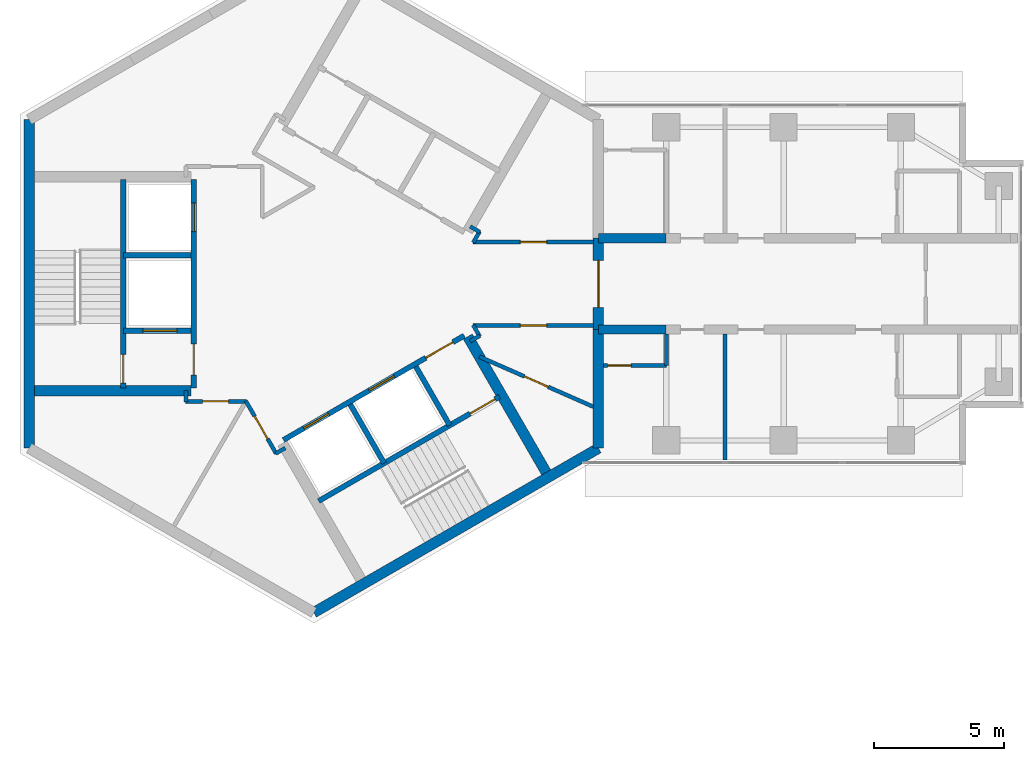
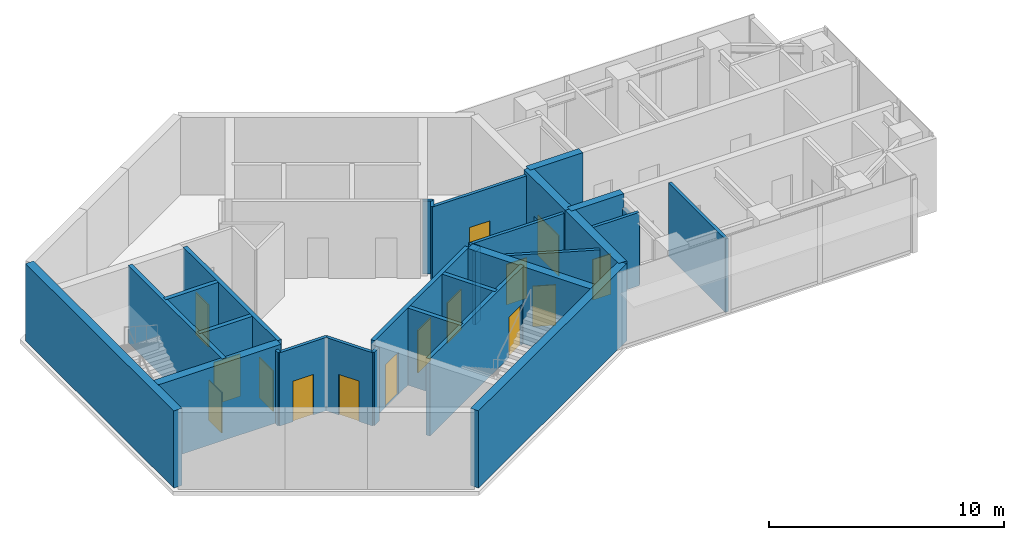
# One storey, part 5 of 11: 30 walls, 15 doors, 15 openings.
"""IFC4 building model written with IfcOpenShell, lengths in metres."""

from ifc_helpers import new_model, si_unit, direction, frame, frame_2d, origin, place, context, subcontext, project, spatial, rectangle, extrude, material, layer, layer_set, type_object, element, fill, save


model = new_model("IFC4")

# Units and contexts
model_context = context("Model", 3, precision=1e-05, world=origin(), true_north=direction((0.0, 1.0)))
body_context = subcontext(model_context, "Body", "Model", "MODEL_VIEW")
ifc_project = project(units=[si_unit("LENGTHUNIT", "METRE"), si_unit("AREAUNIT", "SQUARE_METRE"), si_unit("VOLUMEUNIT", "CUBIC_METRE"), si_unit("PLANEANGLEUNIT", "RADIAN"), si_unit("MASSUNIT", "GRAM", prefix="KILO")], contexts=[model_context])

# Site, building, storey
site_placement = place(None, origin())
site = spatial("IfcSite", under=ifc_project, at=site_placement, CompositionType="ELEMENT")
building_placement = place(site_placement, origin())
building = spatial("IfcBuilding", under=site, at=building_placement, Name="Upepo Twin Towers", CompositionType="ELEMENT")
storey_placement = place(building_placement, frame((0.0, 0.0, 251.5)))
storey = spatial("IfcBuildingStorey", under=building, at=storey_placement, Name="L61", CompositionType="ELEMENT", Elevation=251.5)

# Walls
ifc_material_1 = material(Name="Concrete C60/75", Category="concrete")
ifc_layer_1 = layer(ifc_material_1, 0.35009765625)
ifc_layer_set_1 = layer_set([ifc_layer_1], Name="Concrete C60/75")
wall_type_1 = type_object("IfcWallType", Name="Buttress wall 350 RC", PredefinedType="SHEAR", material=ifc_layer_set_1)
for number, where, z_axis, x_axis, name in (
    (1, (10.908447265625, 1.75, 0.0), (0.0, 0.0, 1.0), (1.0, 0.0, 0.0), "T1 wing A buttress wall L"),
    (2, (10.908447265625, -1.75, 0.0), (0.0, 0.0, 1.0), (1.0, 0.0, 0.0), "T1 wing A buttress wall R"),
):
    element("IfcWall", number, at=place(storey_placement, frame(where, z_axis=z_axis, x_axis=x_axis)), inside=storey, type_object=wall_type_1, Name=name, PredefinedType="SHEAR", context=body_context, shape_type="SweptSolid", body=[
        extrude(rectangle(XDim=2.591552734375, YDim=0.35009765625, at=frame_2d((1.2958984375, 0.0))), origin(), (0.0, 0.0, 1.0), 4.0),
    ])
ifc_material_2 = material(Name="Concrete C60/75", Category="concrete")
ifc_layer_2 = layer(ifc_material_2, 0.39990234375)
ifc_layer_set_2 = layer_set([ifc_layer_2], Name="Concrete C60/75")
wall_type_2 = type_object("IfcWallType", Name="Core wall 400 RC", PredefinedType="SHEAR", material=ifc_layer_set_2)
wall_1_placement = place(storey_placement, frame((10.908447265625, -6.2978515625, 0.0), z_axis=(0.0, 0.0, 1.0), x_axis=(0.0, 1.0, 0.0)))
element("IfcWall", 3, at=wall_1_placement, inside=storey, type_object=wall_type_2, Name="T1 core wall 000 R", PredefinedType="SHEAR", context=body_context, shape_type="SweptSolid", body=[
    extrude(rectangle(XDim=4.5478515625, YDim=0.39990234375, at=frame_2d((2.27392578125, 0.0))), origin(), (0.0, 0.0, 1.0), 4.0),
])

# Wall, opening, door
wall_2_placement = place(storey_placement, frame((10.908447265625, -1.75, 0.0), z_axis=(0.0, 0.0, 1.0), x_axis=(0.0, 1.0, 0.0)))
wall_2 = element("IfcWall", 4, at=wall_2_placement, inside=storey, type_object=wall_type_2, Name="T1 core wall 000", PredefinedType="SHEAR", context=body_context, shape_type="SweptSolid", body=[
    extrude(rectangle(XDim=3.5, YDim=0.39990234375, at=frame_2d((1.75, 0.0))), origin(), (0.0, 0.0, 1.0), 4.0),
])
opening_1_placement = place(wall_2_placement, frame((0.85009765625, 0.0, 0.0)))
opening_1 = element("IfcOpeningElement", 5, at=opening_1_placement, cuts=wall_2, Name="Opening D2", PredefinedType="OPENING", context=body_context, shape_type="SweptSolid", body=[
    extrude(rectangle(XDim=1.800048828125, YDim=2.10009765625, at=frame_2d((0.89990234375, 1.050048828125))), frame((0.0, 0.2099609375, 0.0), z_axis=(0.0, -1.0, 0.0), x_axis=(1.0, 0.0, 0.0)), (0.0, 0.0, 1.0), 0.419921875),
])
ifc_material_3 = material(Name="Timber doorset", Category="wood")
door_type_1 = type_object("IfcDoorType", Name="Corridor double door 1800 FD60", OperationType="DOUBLE_DOOR_DOUBLE_SWING", PredefinedType="DOOR", material=ifc_material_3)
door_1_placement = place(opening_1_placement, origin())
door_1 = element("IfcDoor", 6, at=door_1_placement, inside=storey, type_object=door_type_1, Name="T1 L61 wing A corridor door", OperationType="DOUBLE_DOOR_DOUBLE_SWING", OverallHeight=2.10009765625, OverallWidth=1.800048828125, PredefinedType="DOOR", context=body_context, shape_type="SweptSolid", body=[
    extrude(rectangle(XDim=1.800048828125, YDim=2.10009765625, at=frame_2d((0.89990234375, 1.050048828125))), frame((0.0, 0.02490234375, 0.0), z_axis=(0.0, -1.0, 0.0), x_axis=(1.0, 0.0, 0.0)), (0.0, 0.0, 1.0), 0.050048828125),
])
fill(opening_1, door_1)

# Walls
wall_3_placement = place(storey_placement, frame((-10.908447265625, 6.2978515625, 0.0), z_axis=(0.0, 0.0, 1.0), x_axis=(0.0, -1.0, 0.0)))
element("IfcWall", 7, at=wall_3_placement, inside=storey, type_object=wall_type_2, Name="T1 core wall 180", PredefinedType="SHEAR", context=body_context, shape_type="SweptSolid", body=[
    extrude(rectangle(XDim=12.595703125, YDim=0.39990234375, at=frame_2d((6.2978515625, 0.0))), origin(), (0.0, 0.0, 1.0), 4.0),
])
wall_4_placement = place(storey_placement, frame((0.0, -12.595947265625, 0.0), z_axis=(0.0, 0.0, 1.0), x_axis=(0.866021940709, 0.500005998175, 0.0)))
element("IfcWall", 8, at=wall_4_placement, inside=storey, type_object=wall_type_2, Name="T1 core wall 300", PredefinedType="SHEAR", context=body_context, shape_type="SweptSolid", body=[
    extrude(rectangle(XDim=12.595947265625, YDim=0.39990234375, at=frame_2d((6.2978515625, 0.0))), origin(), (0.0, 0.0, 1.0), 4.0),
])

# Wall, openings, doors
ifc_material_4 = material(Name="Concrete C40/50", Category="concrete")
ifc_layer_3 = layer(ifc_material_4, 0.199951171875)
ifc_layer_set_3 = layer_set([ifc_layer_3], Name="Concrete C40/50")
wall_type_3 = type_object("IfcWallType", Name="Shaft wall 200 RC", PredefinedType="SHEAR", material=ifc_layer_set_3)
wall_5_placement = place(storey_placement, frame((-4.60009765625, 4.0, 0.0), z_axis=(0.0, 0.0, 1.0), x_axis=(0.0, -1.0, 0.0)))
wall_5 = element("IfcWall", 9, at=wall_5_placement, inside=storey, type_object=wall_type_3, Name="T1 core W180 front wall", PredefinedType="SHEAR", context=body_context, shape_type="SweptSolid", body=[
    extrude(rectangle(XDim=8.0, YDim=0.199951171875, at=frame_2d((4.0, 0.0))), origin(), (0.0, 0.0, 1.0), 4.0),
])
opening_2_placement = place(wall_5_placement, frame((6.300048828125, 0.0, 0.0)))
opening_2 = element("IfcOpeningElement", 10, at=opening_2_placement, cuts=wall_5, Name="Opening D4", PredefinedType="OPENING", context=body_context, shape_type="SweptSolid", body=[
    extrude(rectangle(XDim=1.199951171875, YDim=2.10009765625, at=frame_2d((0.60009765625, 1.050048828125))), frame((0.0, 0.10986328125, 0.0), z_axis=(0.0, -1.0, 0.0), x_axis=(1.0, 0.0, 0.0)), (0.0, 0.0, 1.0), 0.219970703125),
])
opening_3_placement = place(wall_5_placement, frame((0.89990234375, 0.0, 0.0)))
opening_3 = element("IfcOpeningElement", 11, at=opening_3_placement, cuts=wall_5, Name="Opening LD1", PredefinedType="OPENING", context=body_context, shape_type="SweptSolid", body=[
    extrude(rectangle(XDim=1.10009765625, YDim=2.199951171875, at=frame_2d((0.550048828125, 1.10009765625))), frame((0.0, 0.10986328125, 0.0), z_axis=(0.0, -1.0, 0.0), x_axis=(1.0, 0.0, 0.0)), (0.0, 0.0, 1.0), 0.219970703125),
])
ifc_material_5 = material(Name="Steel doorset", Category="steel")
door_type_2 = type_object("IfcDoorType", Name="Lift landing door 1100", OperationType="DOUBLE_DOOR_SLIDING", PredefinedType="DOOR", material=ifc_material_5)
door_2_placement = place(opening_3_placement, origin())
door_2 = element("IfcDoor", 12, at=door_2_placement, inside=storey, type_object=door_type_2, Name="T1 L61 lift SV1 landing door", OperationType="DOUBLE_DOOR_SLIDING", OverallHeight=2.199951171875, OverallWidth=1.10009765625, PredefinedType="DOOR", context=body_context, shape_type="SweptSolid", body=[
    extrude(rectangle(XDim=1.10009765625, YDim=2.199951171875, at=frame_2d((0.550048828125, 1.10009765625))), frame((0.0, 0.02490234375, 0.0), z_axis=(0.0, -1.0, 0.0), x_axis=(1.0, 0.0, 0.0)), (0.0, 0.0, 1.0), 0.050048828125),
])
fill(opening_3, door_2)
ifc_material_6 = material(Name="Timber doorset", Category="wood")
door_type_3 = type_object("IfcDoorType", Name="Lobby door 1200 FD60", OperationType="SINGLE_SWING_LEFT", PredefinedType="DOOR", material=ifc_material_6)
door_3_placement = place(opening_2_placement, origin())
door_3 = element("IfcDoor", 13, at=door_3_placement, inside=storey, type_object=door_type_3, Name="T1 L61 W180 lobby door", OperationType="SINGLE_SWING_RIGHT", OverallHeight=2.10009765625, OverallWidth=1.199951171875, PredefinedType="DOOR", context=body_context, shape_type="SweptSolid", body=[
    extrude(rectangle(XDim=1.199951171875, YDim=2.10009765625, at=frame_2d((0.60009765625, 1.050048828125))), frame((0.0, 0.02490234375, 0.0), z_axis=(0.0, -1.0, 0.0), x_axis=(1.0, 0.0, 0.0)), (0.0, 0.0, 1.0), 0.050048828125),
])
fill(opening_2, door_3)

# Wall
wall_6_placement = place(storey_placement, frame((-4.699951171875, 1.10009765625, 0.0), z_axis=(0.0, 0.0, 1.0), x_axis=(-1.0, 0.0, 0.0)))
element("IfcWall", 14, at=wall_6_placement, inside=storey, type_object=wall_type_3, Name="T1 core W180 shaft divider", PredefinedType="SHEAR", context=body_context, shape_type="SweptSolid", body=[
    extrude(rectangle(XDim=2.60009765625, YDim=0.199951171875, at=frame_2d((1.300048828125, 0.0))), origin(), (0.0, 0.0, 1.0), 4.0),
])

# Wall, opening, door
wall_7_placement = place(storey_placement, frame((-4.699951171875, -1.800048828125, 0.0), z_axis=(0.0, 0.0, 1.0), x_axis=(-1.0, 0.0, 0.0)))
wall_7 = element("IfcWall", 15, at=wall_7_placement, inside=storey, type_object=wall_type_3, Name="T1 core W180 lobby wall", PredefinedType="SHEAR", context=body_context, shape_type="SweptSolid", body=[
    extrude(rectangle(XDim=2.60009765625, YDim=0.199951171875, at=frame_2d((1.300048828125, 0.0))), origin(), (0.0, 0.0, 1.0), 4.0),
])
opening_4_placement = place(wall_7_placement, frame((0.550048828125, 0.0, 0.0)))
opening_4 = element("IfcOpeningElement", 16, at=opening_4_placement, cuts=wall_7, Name="Opening LD2", PredefinedType="OPENING", context=body_context, shape_type="SweptSolid", body=[
    extrude(rectangle(XDim=1.300048828125, YDim=2.199951171875, at=frame_2d((0.64990234375, 1.10009765625))), frame((0.0, 0.10986328125, 0.0), z_axis=(0.0, -1.0, 0.0), x_axis=(1.0, 0.0, 0.0)), (0.0, 0.0, 1.0), 0.219970703125),
])
ifc_material_7 = material(Name="Steel doorset", Category="steel")
door_type_4 = type_object("IfcDoorType", Name="Firefighting lift landing door 1300", OperationType="DOUBLE_DOOR_SLIDING", PredefinedType="DOOR", material=ifc_material_7)
door_4_placement = place(opening_4_placement, origin())
door_4 = element("IfcDoor", 17, at=door_4_placement, inside=storey, type_object=door_type_4, Name="T1 L61 firefighting lift landing door", OperationType="DOUBLE_DOOR_SLIDING", OverallHeight=2.199951171875, OverallWidth=1.300048828125, PredefinedType="DOOR", context=body_context, shape_type="SweptSolid", body=[
    extrude(rectangle(XDim=1.300048828125, YDim=2.199951171875, at=frame_2d((0.64990234375, 1.10009765625))), frame((0.0, 0.02490234375, 0.0), z_axis=(0.0, -1.0, 0.0), x_axis=(1.0, 0.0, 0.0)), (0.0, 0.0, 1.0), 0.050048828125),
])
fill(opening_4, door_4)

wall_8_placement = place(storey_placement, frame((-7.300048828125, 4.0, 0.0), z_axis=(0.0, 0.0, 1.0), x_axis=(0.0, -1.0, 0.0)))
wall_8 = element("IfcWall", 18, at=wall_8_placement, inside=storey, type_object=wall_type_3, Name="T1 core W180 stair wall", PredefinedType="SHEAR", context=body_context, shape_type="SweptSolid", body=[
    extrude(rectangle(XDim=8.0, YDim=0.199951171875, at=frame_2d((4.0, 0.0))), origin(), (0.0, 0.0, 1.0), 4.0),
])
opening_5_placement = place(wall_8_placement, frame((6.699951171875, 0.0, 0.0)))
opening_5 = element("IfcOpeningElement", 19, at=opening_5_placement, cuts=wall_8, Name="Opening D3", PredefinedType="OPENING", context=body_context, shape_type="SweptSolid", body=[
    extrude(rectangle(XDim=1.10009765625, YDim=2.10009765625, at=frame_2d((0.550048828125, 1.050048828125))), frame((0.0, 0.10986328125, 0.0), z_axis=(0.0, -1.0, 0.0), x_axis=(1.0, 0.0, 0.0)), (0.0, 0.0, 1.0), 0.219970703125),
])
ifc_material_8 = material(Name="Timber doorset", Category="wood")
door_type_5 = type_object("IfcDoorType", Name="Stair door 1100 FD60", OperationType="SINGLE_SWING_LEFT", PredefinedType="DOOR", material=ifc_material_8)
door_5_placement = place(opening_5_placement, origin())
door_5 = element("IfcDoor", 20, at=door_5_placement, inside=storey, type_object=door_type_5, Name="T1 L61 stair door", OperationType="SINGLE_SWING_RIGHT", OverallHeight=2.10009765625, OverallWidth=1.10009765625, PredefinedType="DOOR", context=body_context, shape_type="SweptSolid", body=[
    extrude(rectangle(XDim=1.10009765625, YDim=2.10009765625, at=frame_2d((0.550048828125, 1.050048828125))), frame((0.0, 0.02490234375, 0.0), z_axis=(0.0, -1.0, 0.0), x_axis=(1.0, 0.0, 0.0)), (0.0, 0.0, 1.0), 0.050048828125),
])
fill(opening_5, door_5)

# Wall, openings, doors
wall_9_placement = place(storey_placement, frame((-1.1640625, -5.983642578125, 0.0), z_axis=(0.0, 0.0, 1.0), x_axis=(0.866026010844, 0.49999894854, 0.0)))
wall_9 = element("IfcWall", 21, at=wall_9_placement, inside=storey, type_object=wall_type_3, Name="T1 core W300 front wall", PredefinedType="SHEAR", context=body_context, shape_type="SweptSolid", body=[
    extrude(rectangle(XDim=8.0, YDim=0.199951171875, at=frame_2d((4.0, 0.0))), origin(), (0.0, 0.0, 1.0), 4.0),
])
opening_6_placement = place(wall_9_placement, frame((6.300048828125, 0.0, 0.0)))
opening_6 = element("IfcOpeningElement", 22, at=opening_6_placement, cuts=wall_9, Name="Opening D4", PredefinedType="OPENING", context=body_context, shape_type="SweptSolid", body=[
    extrude(rectangle(XDim=1.199951171875, YDim=2.10009765625, at=frame_2d((0.60009765625, 1.050048828125))), frame((0.0, 0.10986328125, 0.0), z_axis=(0.0, -1.0, 0.0), x_axis=(1.0, 0.0, 0.0)), (0.0, 0.0, 1.0), 0.219970703125),
])
opening_7_placement = place(wall_9_placement, frame((0.89990234375, 0.0, 0.0)))
opening_7 = element("IfcOpeningElement", 23, at=opening_7_placement, cuts=wall_9, Name="Opening LD1", PredefinedType="OPENING", context=body_context, shape_type="SweptSolid", body=[
    extrude(rectangle(XDim=1.10009765625, YDim=2.199951171875, at=frame_2d((0.550048828125, 1.10009765625))), frame((0.0, 0.10986328125, 0.0), z_axis=(0.0, -1.0, 0.0), x_axis=(1.0, 0.0, 0.0)), (0.0, 0.0, 1.0), 0.219970703125),
])
opening_8_placement = place(wall_9_placement, frame((3.800048828125, 0.0, 0.0)))
opening_8 = element("IfcOpeningElement", 24, at=opening_8_placement, cuts=wall_9, Name="Opening LD1", PredefinedType="OPENING", context=body_context, shape_type="SweptSolid", body=[
    extrude(rectangle(XDim=1.10009765625, YDim=2.199951171875, at=frame_2d((0.550048828125, 1.10009765625))), frame((0.0, 0.10986328125, 0.0), z_axis=(0.0, -1.0, 0.0), x_axis=(1.0, 0.0, 0.0)), (0.0, 0.0, 1.0), 0.219970703125),
])
door_6_placement = place(opening_7_placement, origin())
door_6 = element("IfcDoor", 25, at=door_6_placement, inside=storey, type_object=door_type_2, Name="T1 L61 lift TL1 landing door", OperationType="DOUBLE_DOOR_SLIDING", OverallHeight=2.199951171875, OverallWidth=1.10009765625, PredefinedType="DOOR", context=body_context, shape_type="SweptSolid", body=[
    extrude(rectangle(XDim=1.10009765625, YDim=2.199951171875, at=frame_2d((0.550048828125, 1.10009765625))), frame((0.0, 0.02490234375, 0.0), z_axis=(0.0, -1.0, 0.0), x_axis=(1.0, 0.0, 0.0)), (0.0, 0.0, 1.0), 0.050048828125),
])
fill(opening_7, door_6)
door_7_placement = place(opening_8_placement, origin())
door_7 = element("IfcDoor", 26, at=door_7_placement, inside=storey, type_object=door_type_2, Name="T1 L61 lift TL2 landing door", OperationType="DOUBLE_DOOR_SLIDING", OverallHeight=2.199951171875, OverallWidth=1.10009765625, PredefinedType="DOOR", context=body_context, shape_type="SweptSolid", body=[
    extrude(rectangle(XDim=1.10009765625, YDim=2.199951171875, at=frame_2d((0.550048828125, 1.10009765625))), frame((0.0, 0.02490234375, 0.0), z_axis=(0.0, -1.0, 0.0), x_axis=(1.0, 0.0, 0.0)), (0.0, 0.0, 1.0), 0.050048828125),
])
fill(opening_8, door_7)
door_8_placement = place(opening_6_placement, origin())
door_8 = element("IfcDoor", 27, at=door_8_placement, inside=storey, type_object=door_type_3, Name="T1 L61 W300 lobby door", OperationType="SINGLE_SWING_RIGHT", OverallHeight=2.10009765625, OverallWidth=1.199951171875, PredefinedType="DOOR", context=body_context, shape_type="SweptSolid", body=[
    extrude(rectangle(XDim=1.199951171875, YDim=2.10009765625, at=frame_2d((0.60009765625, 1.050048828125))), frame((0.0, 0.02490234375, 0.0), z_axis=(0.0, -1.0, 0.0), x_axis=(1.0, 0.0, 0.0)), (0.0, 0.0, 1.0), 0.050048828125),
])
fill(opening_6, door_8)

# Walls
wall_10_placement = place(storey_placement, frame((1.3974609375, -4.620361328125, 0.0), z_axis=(0.0, 0.0, 1.0), x_axis=(0.499936506574, -0.866062058628, 0.0)))
element("IfcWall", 28, at=wall_10_placement, inside=storey, type_object=wall_type_3, Name="T1 core W300 shaft divider", PredefinedType="SHEAR", context=body_context, shape_type="SweptSolid", body=[
    extrude(rectangle(XDim=2.599853515625, YDim=0.199951171875, at=frame_2d((1.2998046875, 0.0))), origin(), (0.0, 0.0, 1.0), 4.0),
])
wall_11_placement = place(storey_placement, frame((3.908935546875, -3.17041015625, 0.0), z_axis=(0.0, 0.0, 1.0), x_axis=(0.49997716683, -0.86603858612, 0.0)))
element("IfcWall", 29, at=wall_11_placement, inside=storey, type_object=wall_type_3, Name="T1 core W300 lobby wall", PredefinedType="SHEAR", context=body_context, shape_type="SweptSolid", body=[
    extrude(rectangle(XDim=2.599609375, YDim=0.199951171875, at=frame_2d((1.2998046875, 0.0))), origin(), (0.0, 0.0, 1.0), 4.0),
])

# Wall, opening, door
wall_12_placement = place(storey_placement, frame((0.185791015625, -8.322021484375, 0.0), z_axis=(0.0, 0.0, 1.0), x_axis=(0.866026010844, 0.49999894854, 0.0)))
wall_12 = element("IfcWall", 30, at=wall_12_placement, inside=storey, type_object=wall_type_3, Name="T1 core W300 stair wall", PredefinedType="SHEAR", context=body_context, shape_type="SweptSolid", body=[
    extrude(rectangle(XDim=8.0, YDim=0.199951171875, at=frame_2d((4.0, 0.0))), origin(), (0.0, 0.0, 1.0), 4.0),
])
opening_9_placement = place(wall_12_placement, frame((6.699951171875, 0.0, 0.0)))
opening_9 = element("IfcOpeningElement", 31, at=opening_9_placement, cuts=wall_12, Name="Opening D3", PredefinedType="OPENING", context=body_context, shape_type="SweptSolid", body=[
    extrude(rectangle(XDim=1.10009765625, YDim=2.10009765625, at=frame_2d((0.550048828125, 1.050048828125))), frame((0.0, 0.10986328125, 0.0), z_axis=(0.0, -1.0, 0.0), x_axis=(1.0, 0.0, 0.0)), (0.0, 0.0, 1.0), 0.219970703125),
])
door_9_placement = place(opening_9_placement, origin())
door_9 = element("IfcDoor", 32, at=door_9_placement, inside=storey, type_object=door_type_5, Name="T1 L61 stair door", OperationType="SINGLE_SWING_RIGHT", OverallHeight=2.10009765625, OverallWidth=1.10009765625, PredefinedType="DOOR", context=body_context, shape_type="SweptSolid", body=[
    extrude(rectangle(XDim=1.10009765625, YDim=2.10009765625, at=frame_2d((0.550048828125, 1.050048828125))), frame((0.0, 0.02490234375, 0.0), z_axis=(0.0, -1.0, 0.0), x_axis=(1.0, 0.0, 0.0)), (0.0, 0.0, 1.0), 0.050048828125),
])
fill(opening_9, door_9)

# Walls
ifc_material_9 = material(Name="Concrete C40/50", Category="concrete")
ifc_layer_4 = layer(ifc_material_9, 0.39990234375)
ifc_layer_set_4 = layer_set([ifc_layer_4], Name="Concrete C40/50")
wall_type_4 = type_object("IfcWallType", Name="Shaft wall 400 RC", PredefinedType="SHEAR", material=ifc_layer_set_4)
for number, where, z_axis, x_axis, name in (
    (33, (-4.699951171875, -4.10009765625, 0.0), (0.0, 0.0, 1.0), (-1.0, 0.0, 0.0), "T1 core W180 side wall N"),
    (34, (5.900634765625, -2.020263671875, 0.0), (0.0, 0.0, 1.0), (0.499997979876, -0.866026570101, 0.0), "T1 core W300 side wall N"),
):
    element("IfcWall", number, at=place(storey_placement, frame(where, z_axis=z_axis, x_axis=x_axis)), inside=storey, type_object=wall_type_4, Name=name, PredefinedType="SHEAR", context=body_context, shape_type="SweptSolid", body=[
        extrude(rectangle(XDim=6.00830078125, YDim=0.39990234375, at=frame_2d((3.004150390625, 0.0))), origin(), (0.0, 0.0, 1.0), 4.0),
    ])
ifc_material_10 = material(Name="Gypsum board on steel studs", Category="steel")
ifc_layer_5 = layer(ifc_material_10, 0.14990234375)
ifc_layer_set_5 = layer_set([ifc_layer_5], Name="Teaching partition 150 acoustic")
wall_type_5 = type_object("IfcWallType", Name="Teaching partition 150 acoustic", PredefinedType="PARTITIONING", material=ifc_layer_set_5)
wall_13_placement = place(storey_placement, frame((15.75, -1.925048828125, 0.0), z_axis=(0.0, 0.0, 1.0), x_axis=(0.0, -1.0, 0.0)))
element("IfcWall", 35, at=wall_13_placement, inside=storey, type_object=wall_type_5, Name="T1 partition AR at 15.75", PredefinedType="PARTITIONING", context=body_context, shape_type="SweptSolid", body=[
    extrude(rectangle(XDim=4.824951171875, YDim=0.14990234375, at=frame_2d((2.41259765625, 0.0))), origin(), (0.0, 0.0, 1.0), 3.800048828125),
])

# Wall, opening, door
wall_14_placement = place(storey_placement, frame((11.10791015625, -3.125, 0.0), z_axis=(0.0, 0.0, 1.0), x_axis=(1.0, 0.0, 0.0)))
wall_14 = element("IfcWall", 36, at=wall_14_placement, inside=storey, type_object=wall_type_5, Name="T1 WC bay partition AR at 11.11", PredefinedType="PARTITIONING", context=body_context, shape_type="SweptSolid", body=[
    extrude(rectangle(XDim=2.400146484375, YDim=0.14990234375, at=frame_2d((1.2001953125, 0.0))), origin(), (0.0, 0.0, 1.0), 3.800048828125),
])
opening_10_placement = place(wall_14_placement, frame((0.14990234375, 0.0, 0.0)))
opening_10 = element("IfcOpeningElement", 37, at=opening_10_placement, cuts=wall_14, Name="Opening D14", PredefinedType="OPENING", context=body_context, shape_type="SweptSolid", body=[
    extrude(rectangle(XDim=0.89990234375, YDim=2.10009765625, at=frame_2d((0.449951171875, 1.050048828125))), frame((0.0, 0.0849609375, 0.0), z_axis=(0.0, -1.0, 0.0), x_axis=(1.0, 0.0, 0.0)), (0.0, 0.0, 1.0), 0.169921875),
])
ifc_material_11 = material(Name="Timber doorset", Category="wood")
door_type_6 = type_object("IfcDoorType", Name="Office door 900 FD30", OperationType="SINGLE_SWING_LEFT", PredefinedType="DOOR", material=ifc_material_11)
door_10_placement = place(opening_10_placement, origin())
door_10 = element("IfcDoor", 38, at=door_10_placement, inside=storey, type_object=door_type_6, Name="T1 L61 WC bay inner room door", OperationType="SINGLE_SWING_LEFT", OverallHeight=2.10009765625, OverallWidth=0.89990234375, PredefinedType="DOOR", context=body_context, shape_type="SweptSolid", body=[
    extrude(rectangle(XDim=0.89990234375, YDim=2.10009765625, at=frame_2d((0.449951171875, 1.050048828125))), frame((0.0, 0.02490234375, 0.0), z_axis=(0.0, -1.0, 0.0), x_axis=(1.0, 0.0, 0.0)), (0.0, 0.0, 1.0), 0.050048828125),
])
fill(opening_10, door_10)

# Walls
wall_15_placement = place(storey_placement, frame((13.508056640625, -1.925048828125, 0.0), z_axis=(0.0, 0.0, 1.0), x_axis=(0.0, -1.0, 0.0)))
element("IfcWall", 39, at=wall_15_placement, inside=storey, type_object=wall_type_5, Name="T1 WC bay partition AR end at 13.51", PredefinedType="PARTITIONING", context=body_context, shape_type="SweptSolid", body=[
    extrude(rectangle(XDim=1.199951171875, YDim=0.14990234375, at=frame_2d((0.60009765625, 0.0))), origin(), (0.0, 0.0, 1.0), 3.266845703125),
])
for number, where, z_axis, x_axis, name in (
    (40, (6.364501953125, -1.9833984375, 0.0), (0.0, 0.0, 1.0), (-0.865892400268, -0.500230298122, 0.0), "T1 core room partition 1"),
    (41, (-1.092041015625, -6.28857421875, 0.0), (0.0, 0.0, 1.0), (-0.866138304741, -0.499804398801, 0.0), "T1 core room partition 2"),
):
    element("IfcWall", number, at=place(storey_placement, frame(where, z_axis=z_axis, x_axis=x_axis)), inside=storey, type_object=wall_type_5, Name=name, PredefinedType="PARTITIONING", context=body_context, shape_type="SweptSolid", body=[
        extrude(rectangle(XDim=0.429931640625, YDim=0.14990234375, at=frame_2d((0.21484375, 0.0))), origin(), (0.0, 0.0, 1.0), 3.800048828125),
    ])

# Wall, opening, door
wall_16_placement = place(storey_placement, frame((-1.43701171875, -6.5107421875, 0.0), z_axis=(0.0, 0.0, 1.0), x_axis=(-0.500074377092, 0.865982457891, 0.0)))
wall_16 = element("IfcWall", 42, at=wall_16_placement, inside=storey, type_object=wall_type_5, Name="T1 core room partition 3", PredefinedType="PARTITIONING", context=body_context, shape_type="SweptSolid", body=[
    extrude(rectangle(XDim=2.342041015625, YDim=0.14990234375, at=frame_2d((1.1708984375, 0.0))), origin(), (0.0, 0.0, 1.0), 3.800048828125),
])
opening_11_placement = place(wall_16_placement, frame((0.660888671875, 0.0, 0.0)))
opening_11 = element("IfcOpeningElement", 43, at=opening_11_placement, cuts=wall_16, Name="Opening D1", PredefinedType="OPENING", context=body_context, shape_type="SweptSolid", body=[
    extrude(rectangle(XDim=1.0, YDim=2.10009765625, at=frame_2d((0.5, 1.050048828125))), frame((0.0, 0.0849609375, 0.0), z_axis=(0.0, -1.0, 0.0), x_axis=(1.0, 0.0, 0.0)), (0.0, 0.0, 1.0), 0.169921875),
])
ifc_material_12 = material(Name="Timber doorset", Category="wood")
door_type_7 = type_object("IfcDoorType", Name="Room door 1000 FD30", OperationType="SINGLE_SWING_LEFT", PredefinedType="DOOR", material=ifc_material_12)
door_11_placement = place(opening_11_placement, origin())
door_11 = element("IfcDoor", 44, at=door_11_placement, inside=storey, type_object=door_type_7, Name="T1 L61 core room door K2", OperationType="SINGLE_SWING_LEFT", OverallHeight=2.10009765625, OverallWidth=1.0, PredefinedType="DOOR", context=body_context, shape_type="SweptSolid", body=[
    extrude(rectangle(XDim=1.0, YDim=2.10009765625, at=frame_2d((0.5, 1.050048828125))), frame((0.0, 0.02490234375, 0.0), z_axis=(0.0, -1.0, 0.0), x_axis=(1.0, 0.0, 0.0)), (0.0, 0.0, 1.0), 0.050048828125),
])
fill(opening_11, door_11)

wall_17_placement = place(storey_placement, frame((-2.578125, -4.5, 0.0), z_axis=(0.0, 0.0, 1.0), x_axis=(-1.0, 0.0, 0.0)))
wall_17 = element("IfcWall", 45, at=wall_17_placement, inside=storey, type_object=wall_type_5, Name="T1 core room partition 4", PredefinedType="PARTITIONING", context=body_context, shape_type="SweptSolid", body=[
    extrude(rectangle(XDim=2.341796875, YDim=0.14990234375, at=frame_2d((1.1708984375, 0.0))), origin(), (0.0, 0.0, 1.0), 3.800048828125),
])
opening_12_placement = place(wall_17_placement, frame((0.68115234375, 0.0, 0.0)))
opening_12 = element("IfcOpeningElement", 46, at=opening_12_placement, cuts=wall_17, Name="Opening D1", PredefinedType="OPENING", context=body_context, shape_type="SweptSolid", body=[
    extrude(rectangle(XDim=1.0, YDim=2.10009765625, at=frame_2d((0.5, 1.050048828125))), frame((0.0, 0.0849609375, 0.0), z_axis=(0.0, -1.0, 0.0), x_axis=(1.0, 0.0, 0.0)), (0.0, 0.0, 1.0), 0.169921875),
])
door_12_placement = place(opening_12_placement, origin())
door_12 = element("IfcDoor", 47, at=door_12_placement, inside=storey, type_object=door_type_7, Name="T1 L61 core room door K1", OperationType="SINGLE_SWING_RIGHT", OverallHeight=2.10009765625, OverallWidth=1.0, PredefinedType="DOOR", context=body_context, shape_type="SweptSolid", body=[
    extrude(rectangle(XDim=1.0, YDim=2.10009765625, at=frame_2d((0.5, 1.050048828125))), frame((0.0, 0.02490234375, 0.0), z_axis=(0.0, -1.0, 0.0), x_axis=(1.0, 0.0, 0.0)), (0.0, 0.0, 1.0), 0.050048828125),
])
fill(opening_12, door_12)

# Walls
for number, where, z_axis, x_axis, name in (
    (48, (-4.89990234375, -4.52001953125, 0.0), (0.0, 0.0, 1.0), (0.0, 1.0, 0.0), "T1 core room partition 5"),
    (49, (5.9921875, 2.198486328125, 0.0), (0.0, 0.0, 1.0), (0.865892400268, -0.500230298122, 0.0), "T1 core room partition 13"),
):
    element("IfcWall", number, at=place(storey_placement, frame(where, z_axis=z_axis, x_axis=x_axis)), inside=storey, type_object=wall_type_5, Name=name, PredefinedType="PARTITIONING", context=body_context, shape_type="SweptSolid", body=[
        extrude(rectangle(XDim=0.429931640625, YDim=0.14990234375, at=frame_2d((0.21484375, 0.0))), origin(), (0.0, 0.0, 1.0), 3.800048828125),
    ])
wall_18_placement = place(storey_placement, frame((6.357177734375, 2.0107421875, 0.0), z_axis=(0.0, 0.0, 1.0), x_axis=(-0.50033519877, -0.865831790172, 0.0)))
element("IfcWall", 50, at=wall_18_placement, inside=storey, type_object=wall_type_5, Name="T1 core room partition 14", PredefinedType="PARTITIONING", context=body_context, shape_type="SweptSolid", body=[
    extrude(rectangle(XDim=0.494384765625, YDim=0.14990234375, at=frame_2d((0.2470703125, 0.0))), origin(), (0.0, 0.0, 1.0), 3.800048828125),
])

# Wall, opening, door
wall_19_placement = place(storey_placement, frame((6.099853515625, 1.60009765625, 0.0), z_axis=(0.0, 0.0, 1.0), x_axis=(1.0, 0.0, 0.0)))
wall_19 = element("IfcWall", 51, at=wall_19_placement, inside=storey, type_object=wall_type_5, Name="T1 core room partition 15", PredefinedType="PARTITIONING", context=body_context, shape_type="SweptSolid", body=[
    extrude(rectangle(XDim=4.618408203125, YDim=0.14990234375, at=frame_2d((2.30908203125, 0.0))), origin(), (0.0, 0.0, 1.0), 3.800048828125),
])
opening_13_placement = place(wall_19_placement, frame((1.8193359375, 0.0, 0.0)))
opening_13 = element("IfcOpeningElement", 52, at=opening_13_placement, cuts=wall_19, Name="Opening D1", PredefinedType="OPENING", context=body_context, shape_type="SweptSolid", body=[
    extrude(rectangle(XDim=1.0, YDim=2.10009765625, at=frame_2d((0.5, 1.050048828125))), frame((0.0, 0.0849609375, 0.0), z_axis=(0.0, -1.0, 0.0), x_axis=(1.0, 0.0, 0.0)), (0.0, 0.0, 1.0), 0.169921875),
])
door_13_placement = place(opening_13_placement, origin())
door_13 = element("IfcDoor", 53, at=door_13_placement, inside=storey, type_object=door_type_7, Name="T1 L61 core room door K5", OperationType="SINGLE_SWING_RIGHT", OverallHeight=2.10009765625, OverallWidth=1.0, PredefinedType="DOOR", context=body_context, shape_type="SweptSolid", body=[
    extrude(rectangle(XDim=1.0, YDim=2.10009765625, at=frame_2d((0.5, 1.050048828125))), frame((0.0, 0.02490234375, 0.0), z_axis=(0.0, -1.0, 0.0), x_axis=(1.0, 0.0, 0.0)), (0.0, 0.0, 1.0), 0.050048828125),
])
fill(opening_13, door_13)

wall_20_placement = place(storey_placement, frame((10.71826171875, -1.60009765625, 0.0), z_axis=(0.0, 0.0, 1.0), x_axis=(-1.0, 0.0, 0.0)))
wall_20 = element("IfcWall", 54, at=wall_20_placement, inside=storey, type_object=wall_type_5, Name="T1 core room partition 16", PredefinedType="PARTITIONING", context=body_context, shape_type="SweptSolid", body=[
    extrude(rectangle(XDim=4.618408203125, YDim=0.14990234375, at=frame_2d((2.30908203125, 0.0))), origin(), (0.0, 0.0, 1.0), 3.800048828125),
])
opening_14_placement = place(wall_20_placement, frame((1.799072265625, 0.0, 0.0)))
opening_14 = element("IfcOpeningElement", 55, at=opening_14_placement, cuts=wall_20, Name="Opening D1", PredefinedType="OPENING", context=body_context, shape_type="SweptSolid", body=[
    extrude(rectangle(XDim=1.0, YDim=2.10009765625, at=frame_2d((0.5, 1.050048828125))), frame((0.0, 0.0849609375, 0.0), z_axis=(0.0, -1.0, 0.0), x_axis=(1.0, 0.0, 0.0)), (0.0, 0.0, 1.0), 0.169921875),
])
door_14_placement = place(opening_14_placement, origin())
door_14 = element("IfcDoor", 56, at=door_14_placement, inside=storey, type_object=door_type_7, Name="T1 L61 core room door K3", OperationType="SINGLE_SWING_LEFT", OverallHeight=2.10009765625, OverallWidth=1.0, PredefinedType="DOOR", context=body_context, shape_type="SweptSolid", body=[
    extrude(rectangle(XDim=1.0, YDim=2.10009765625, at=frame_2d((0.5, 1.050048828125))), frame((0.0, 0.02490234375, 0.0), z_axis=(0.0, -1.0, 0.0), x_axis=(1.0, 0.0, 0.0)), (0.0, 0.0, 1.0), 0.050048828125),
])
fill(opening_14, door_14)

# Wall
wall_21_placement = place(storey_placement, frame((6.10986328125, -1.582763671875, 0.0), z_axis=(0.0, 0.0, 1.0), x_axis=(0.50033519877, -0.865831790172, 0.0)))
element("IfcWall", 57, at=wall_21_placement, inside=storey, type_object=wall_type_5, Name="T1 core room partition 17", PredefinedType="PARTITIONING", context=body_context, shape_type="SweptSolid", body=[
    extrude(rectangle(XDim=0.494384765625, YDim=0.14990234375, at=frame_2d((0.2470703125, 0.0))), origin(), (0.0, 0.0, 1.0), 3.800048828125),
])

# Wall, opening, door
wall_22_placement = place(storey_placement, frame((6.344482421875, -2.7890625, 0.0), z_axis=(0.0, 0.0, 1.0), x_axis=(0.915438841787, -0.402457111937, 0.0)))
wall_22 = element("IfcWall", 58, at=wall_22_placement, inside=storey, type_object=wall_type_5, Name="T1 core room partition 19", PredefinedType="PARTITIONING", context=body_context, shape_type="SweptSolid", body=[
    extrude(rectangle(XDim=4.766845703125, YDim=0.14990234375, at=frame_2d((2.38330078125, 0.0))), origin(), (0.0, 0.0, 1.0), 3.800048828125),
])
opening_15_placement = place(wall_22_placement, frame((1.88330078125, 0.0, 0.0)))
opening_15 = element("IfcOpeningElement", 59, at=opening_15_placement, cuts=wall_22, Name="Opening D1", PredefinedType="OPENING", context=body_context, shape_type="SweptSolid", body=[
    extrude(rectangle(XDim=1.0, YDim=2.10009765625, at=frame_2d((0.5, 1.050048828125))), frame((0.0, 0.0849609375, 0.0), z_axis=(0.0, -1.0, 0.0), x_axis=(1.0, 0.0, 0.0)), (0.0, 0.0, 1.0), 0.169921875),
])
door_15_placement = place(opening_15_placement, origin())
door_15 = element("IfcDoor", 60, at=door_15_placement, inside=storey, type_object=door_type_7, Name="T1 L61 core room door K4", OperationType="SINGLE_SWING_LEFT", OverallHeight=2.10009765625, OverallWidth=1.0, PredefinedType="DOOR", context=body_context, shape_type="SweptSolid", body=[
    extrude(rectangle(XDim=1.0, YDim=2.10009765625, at=frame_2d((0.5, 1.050048828125))), frame((0.0, 0.02490234375, 0.0), z_axis=(0.0, -1.0, 0.0), x_axis=(1.0, 0.0, 0.0)), (0.0, 0.0, 1.0), 0.050048828125),
])
fill(opening_15, door_15)

save(model, "model.ifc")
